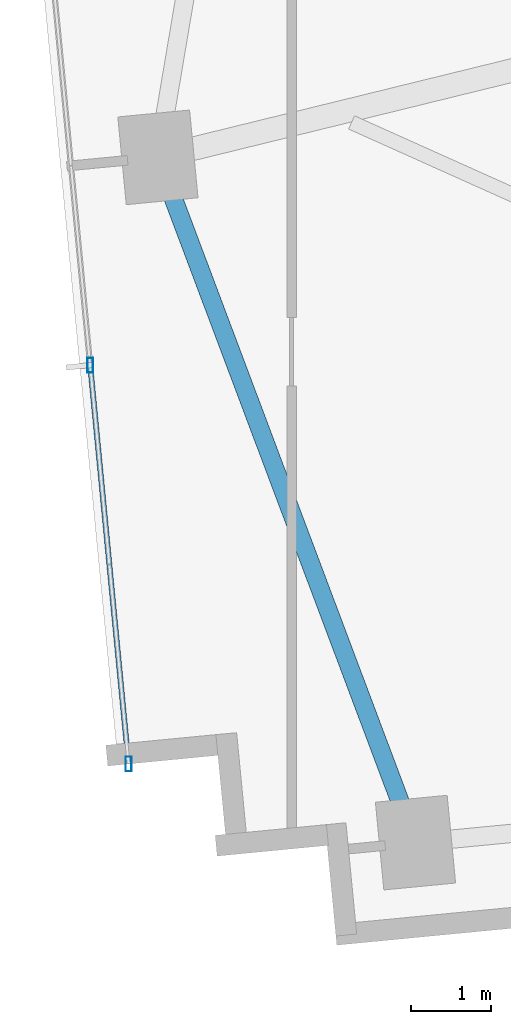
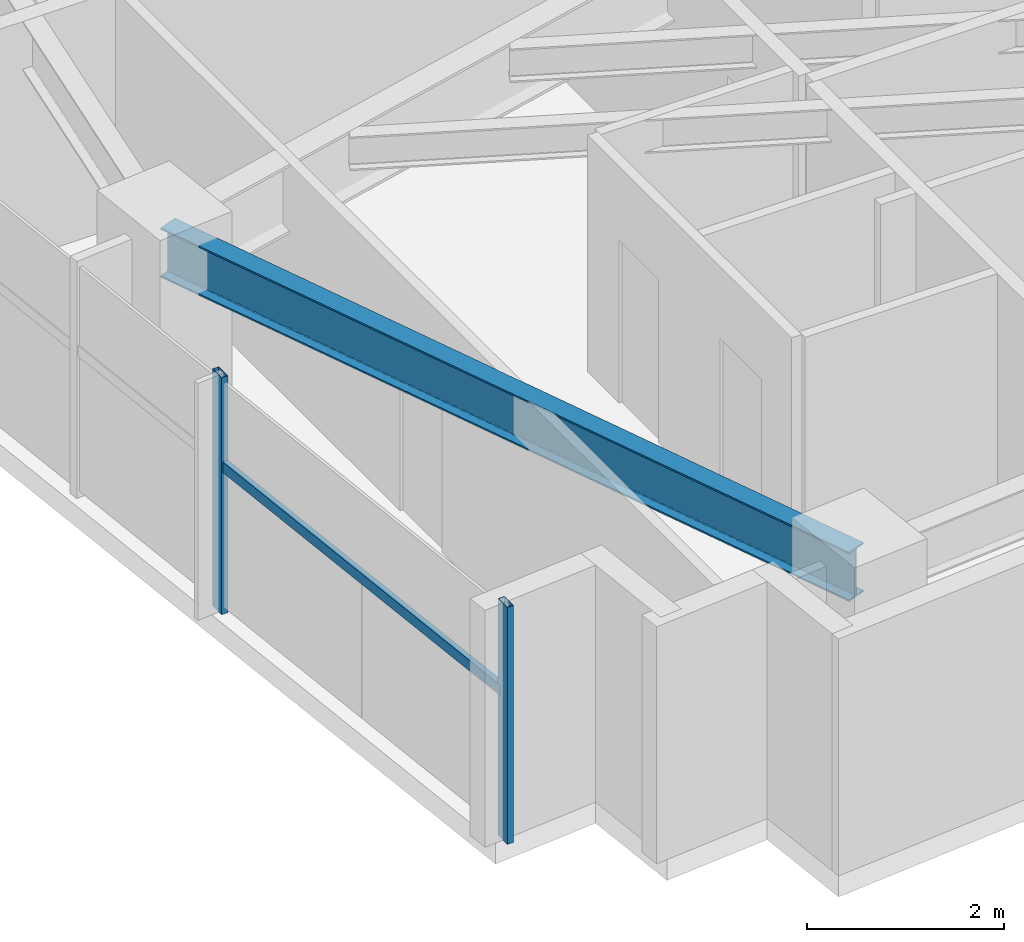
# One storey, part 2 of 27: 3 members, 1 beam, 1 element without a shape of its own.
"""IFC4 building model written with IfcOpenShell, lengths in metres."""

from ifc_helpers import new_model, si_unit, direction, frame, origin, origin_2d, place, context, subcontext, project, spatial, hollow_rectangle, i_section, extrude, source, transform, mapped, material, material_profile, profile_set, type_object, type_shapes, element, aggregate, save


model = new_model("IFC4")

# Units and contexts
model_context = context("Model", 3, precision=1e-05, world=origin(), true_north=direction((0.0, 1.0)))
body_context = subcontext(model_context, "Body", "Model", "MODEL_VIEW")
ifc_project = project(units=[si_unit("LENGTHUNIT", "METRE"), si_unit("AREAUNIT", "SQUARE_METRE"), si_unit("VOLUMEUNIT", "CUBIC_METRE"), si_unit("PLANEANGLEUNIT", "RADIAN"), si_unit("MASSUNIT", "GRAM", prefix="KILO")], contexts=[model_context])

# Site, building, storey
site_placement = place(None, origin())
site = spatial("IfcSite", under=ifc_project, at=site_placement, CompositionType="ELEMENT")
building_placement = place(site_placement, origin())
building = spatial("IfcBuilding", under=site, at=building_placement, Name="Astriad Promenade Condominiums", CompositionType="ELEMENT")
storey_placement = place(building_placement, frame((0.0, 0.0, 90.60009765625)))
storey = spatial("IfcBuildingStorey", under=building, at=storey_placement, Name="L25", CompositionType="ELEMENT", Elevation=90.60009765625)

# Beam
ifc_material_1 = material(Name="Steel ASTM A992 Grade 50", Category="steel")
ifc_material_profile_1 = material_profile(ifc_material_1, i_section(OverallWidth=0.22900390625, OverallDepth=0.612060546875, WebThickness=0.011962890625, FlangeThickness=0.01953125, FilletRadius=0.017822265625, at=origin_2d()), Name="W24X84")
ifc_profile_set_1 = profile_set([ifc_material_profile_1], Name="Steel ASTM A992 Grade 50")
beam_type = type_object("IfcBeamType", Name="STEEL SPANDREL BEAM W24X84", PredefinedType="SPANDREL", material=ifc_profile_set_1)
shared_shape_1 = source(origin(), body_context, "Body", "SweptSolid", [
    extrude(i_section(OverallWidth=0.22900390625, OverallDepth=0.612060546875, WebThickness=0.011962890625, FlangeThickness=0.01953125, FilletRadius=0.017822265625, at=origin_2d()), origin(), (0.0, 0.0, 1.0), 9.055419921875),
])
type_shapes(beam_type, [shared_shape_1])
beam_placement = place(storey_placement, frame((10.765625, 13.523193359375, 2.6337890625), z_axis=(0.351864937141, -0.936050781748, 0.0), x_axis=(0.936050781748, 0.351864937141, 0.0)))
element("IfcBeam", 1, at=beam_placement, inside=storey, type_object=beam_type, Name="Perimeter Spandrel Beam SP-W1-L25", PredefinedType="SPANDREL", context=body_context, shape_type="MappedRepresentation", body=[
    mapped(shared_shape_1, transform((0.0, 0.0, 0.0), scale=1.0)),
])

# Curtain wall, members
ifc_material_2 = material(Name="Anodised aluminium Black Dark Glass Unitised", Category="aluminium")
curtain_wall_type = type_object("IfcCurtainWallType", Name="CW-B2-DARK", PredefinedType="USERDEFINED", material=ifc_material_2)
curtain_wall_placement = place(storey_placement, origin())
curtain_wall = element("IfcCurtainWall", 2, at=curtain_wall_placement, inside=storey, type_object=curtain_wall_type, Name="CW-L25-W", ObjectType="UNITISED_CURTAIN_WALL", PredefinedType="USERDEFINED")
ifc_material_3 = material(Name="Anodised aluminium 6063-T6 Black", Category="aluminium")
ifc_material_profile_2 = material_profile(ifc_material_3, hollow_rectangle(XDim=0.074951171875, YDim=0.18505859375, WallThickness=0.00439453125, at=origin_2d()), Name="ALU-MUL-75X185")
ifc_profile_set_2 = profile_set([ifc_material_profile_2], Name="Anodised aluminium 6063-T6 Black")
member_type_1 = type_object("IfcMemberType", Name="MUL-ALU-MUL-75X185", PredefinedType="MULLION", material=ifc_profile_set_2)
shared_shape_2 = source(origin(), body_context, "Body", "SweptSolid", [
    extrude(hollow_rectangle(XDim=0.074951171875, YDim=0.18505859375, WallThickness=0.00439453125, at=origin_2d()), origin(), (0.0, 0.0, 1.0), 2.93994140625),
])
type_shapes(member_type_1, [shared_shape_2])
member_1_placement = place(storey_placement, frame((10.385498046875, 5.99072265625, 0.0), z_axis=(0.0, 0.0, 1.0), x_axis=(1.0, 0.0, 0.0)))
member_1 = element("IfcMember", 3, at=member_1_placement, type_object=member_type_1, Name="CW-L25-W-MUL-00", PredefinedType="MULLION", context=body_context, shape_type="MappedRepresentation", body=[
    mapped(shared_shape_2, transform((0.0, 0.0, 0.0), scale=1.0)),
])
member_2_placement = place(storey_placement, frame((9.90625, 10.9677734375, 0.0), z_axis=(0.0, 0.0, 1.0), x_axis=(1.0, 0.0, 0.0)))
member_2 = element("IfcMember", 4, at=member_2_placement, type_object=member_type_1, Name="CW-L25-W-MUL-01", PredefinedType="MULLION", context=body_context, shape_type="MappedRepresentation", body=[
    mapped(shared_shape_2, transform((0.0, 0.0, 0.0), scale=1.0)),
])
ifc_material_profile_3 = material_profile(ifc_material_3, hollow_rectangle(XDim=0.06494140625, YDim=0.1298828125, WallThickness=0.00390625, at=origin_2d()), Name="ALU-TRN-65X130")
ifc_profile_set_3 = profile_set([ifc_material_profile_3], Name="Anodised aluminium 6063-T6 Black")
member_type_2 = type_object("IfcMemberType", Name="TRN-ALU-TRN-65X130", PredefinedType="USERDEFINED", material=ifc_profile_set_3)
shared_shape_3 = source(origin(), body_context, "Body", "SweptSolid", [
    extrude(hollow_rectangle(XDim=0.06494140625, YDim=0.1298828125, WallThickness=0.00390625, at=origin_2d()), origin(), (0.0, 0.0, 1.0), 5.0),
])
type_shapes(member_type_2, [shared_shape_3])
member_3_placement = place(storey_placement, frame((10.385498046875, 5.99072265625, 1.82275390625), z_axis=(-0.095848242264, 0.995395958629, 0.0), x_axis=(-0.995395958629, -0.095848242264, 0.0)))
member_3 = element("IfcMember", 5, at=member_3_placement, type_object=member_type_2, Name="CW-L25-W-TRN-00-0", ObjectType="TRANSOM", PredefinedType="USERDEFINED", context=body_context, shape_type="MappedRepresentation", body=[
    mapped(shared_shape_3, transform((0.0, 0.0, 0.0), scale=1.0)),
])
aggregate(curtain_wall, [member_1, member_2, member_3])

save(model, "model.ifc")
